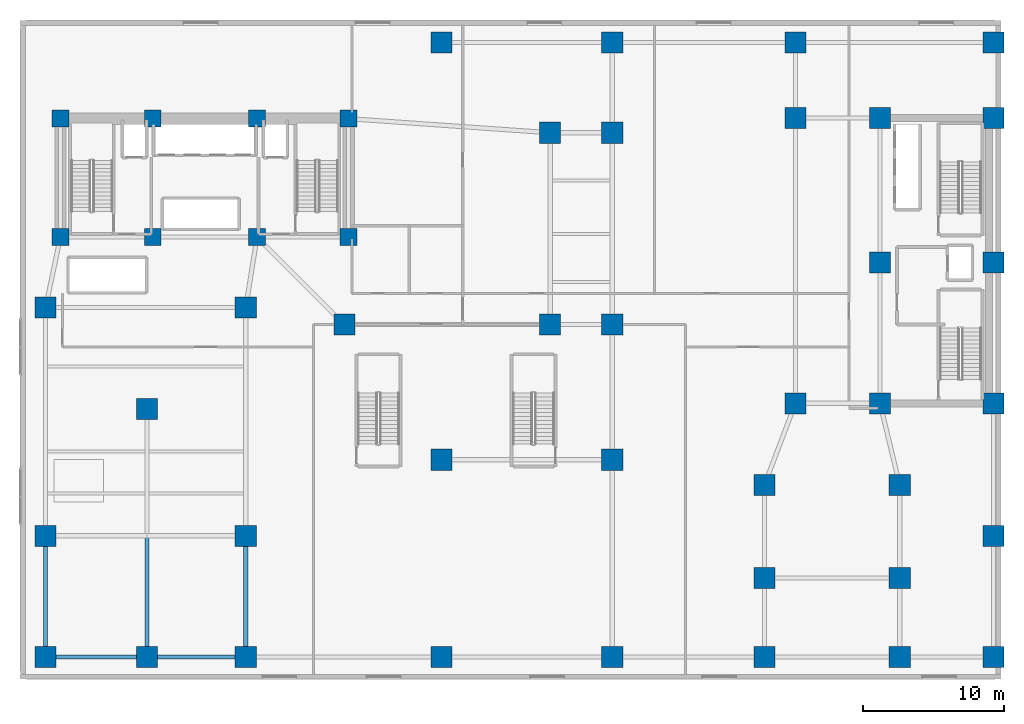
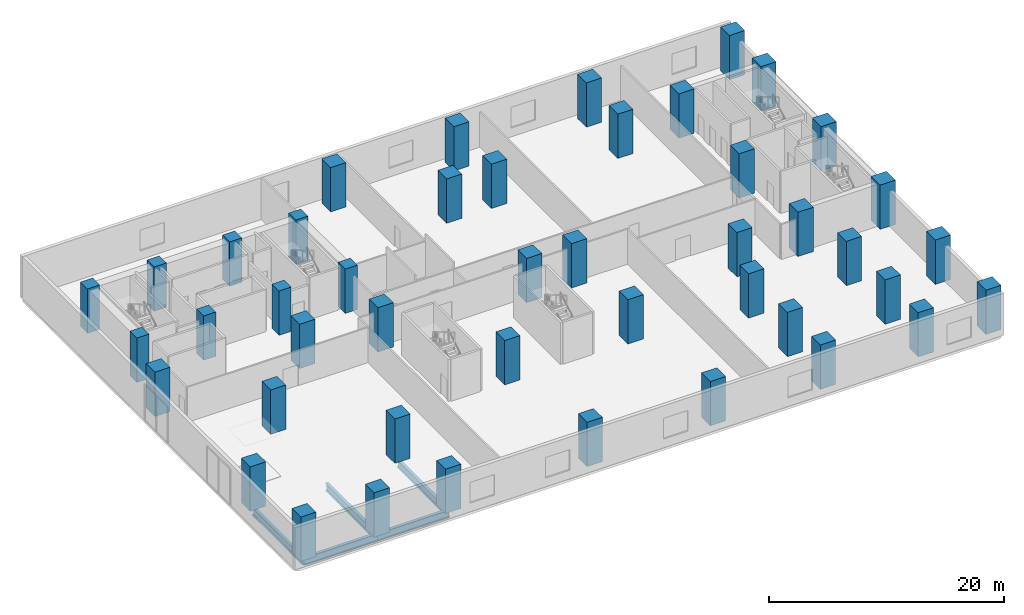
# One storey, part 1 of 14: 45 columns, 5 beams.
"""IFC4 building model written with IfcOpenShell, lengths in metres."""

import ifcopenshell
import ifcopenshell.guid

model = None  # the IFC model being written
_history = None  # IfcOwnerHistory: only IFC2X3 demands one
_inside = {}  # id of a spatial element -> (the spatial element, [elements in it])
_under = {}  # id of a project, library or spatial element -> (it, [spatial elements below it])
_declared = {}  # id of a project -> (the project, [libraries it declares])
_typed = {}  # id of a type object -> (the type object, [elements of that type])
_made_of = {}  # id of a material, layer set ... -> (it, [elements and type objects made of it])


def new_model(schema):
    """Start an empty IFC model of exactly this schema.

    Asked for "IFC4X3", IfcOpenShell would pick the latest addendum, in which some entities
    have other attributes; the version numbers below select the first issue.
    IFC2X3 requires an IfcOwnerHistory on every rooted entity: one is made here for all.
    """
    global model, _history
    if schema == "IFC4X3":
        model = ifcopenshell.file(schema_version=(4, 3, 0, 0))
    else:
        model = ifcopenshell.file(schema=schema)
    _inside.clear()
    _under.clear()
    _declared.clear()
    _typed.clear()
    _made_of.clear()
    _history = None
    if model.schema == "IFC2X3":
        org = make("IfcOrganization", Name="unknown")
        user = make(
            "IfcPersonAndOrganization",
            ThePerson=make("IfcPerson", FamilyName="unknown"),
            TheOrganization=org,
        )
        app = make(
            "IfcApplication",
            ApplicationDeveloper=org,
            Version="unknown",
            ApplicationFullName="unknown",
            ApplicationIdentifier="unknown",
        )
        _history = make(
            "IfcOwnerHistory",
            OwningUser=user,
            OwningApplication=app,
            ChangeAction="ADDED",
            CreationDate=0,
        )
    return model


def make(cls, **values):
    """One entity of the class cls with the attributes given. An attribute that is None is left unset."""
    return model.create_entity(
        cls, **{name: value for name, value in values.items() if value is not None}
    )


def rooted(cls, **values):
    """An entity with a GlobalId (a new one), such as an element, a storey or a relation."""
    return make(cls, GlobalId=ifcopenshell.guid.new(), OwnerHistory=_history, **values)


def si_unit(unit_type, name, prefix=None):
    """IfcSIUnit, for example si_unit("LENGTHUNIT", "METRE", prefix="MILLI")."""
    return make("IfcSIUnit", UnitType=unit_type, Prefix=prefix, Name=name)


def assignment(units):
    """IfcUnitAssignment: the units of a project."""
    return None if units is None else make("IfcUnitAssignment", Units=units)


def point(xyz):
    """IfcCartesianPoint."""
    return None if xyz is None else make("IfcCartesianPoint", Coordinates=xyz)


def direction(xyz):
    """IfcDirection."""
    return None if xyz is None else make("IfcDirection", DirectionRatios=xyz)


def frame(location, z_axis=None, x_axis=None):
    """IfcAxis2Placement3D, a coordinate frame: its origin and axes. An axis left out is left unset."""
    return make(
        "IfcAxis2Placement3D",
        Location=point(location),
        Axis=direction(z_axis),
        RefDirection=direction(x_axis),
    )


def frame_2d(location, x_axis=None):
    """IfcAxis2Placement2D, a coordinate frame in the plane: its origin and x axis."""
    return make(
        "IfcAxis2Placement2D", Location=point(location), RefDirection=direction(x_axis)
    )


def origin():
    """The frame at (0, 0, 0) with its axes left unset."""
    return frame((0.0, 0.0, 0.0))


def origin_2d():
    """The frame at (0, 0) in the plane with its x axis left unset."""
    return frame_2d((0.0, 0.0))


def place(relative_to, where):
    """IfcLocalPlacement: puts the frame where relative to a parent placement (None: the world)."""
    return make(
        "IfcLocalPlacement", PlacementRelTo=relative_to, RelativePlacement=where
    )


def context(
    kind, dimensions, precision=None, world=None, true_north=None, identifier=None
):
    """IfcGeometricRepresentationContext, for example the 3D "Model" context."""
    return make(
        "IfcGeometricRepresentationContext",
        ContextIdentifier=identifier,
        ContextType=kind,
        CoordinateSpaceDimension=dimensions,
        Precision=precision,
        WorldCoordinateSystem=world,
        TrueNorth=true_north,
    )


def subcontext(parent, identifier, kind, view, scale=None):
    """IfcGeometricRepresentationSubContext, for example "Body" below "Model"."""
    return make(
        "IfcGeometricRepresentationSubContext",
        ContextIdentifier=identifier,
        ContextType=kind,
        ParentContext=parent,
        TargetScale=scale,
        TargetView=view,
    )


def project(units=None, contexts=None):
    """IfcProject with its units and contexts."""
    return rooted(
        "IfcProject",
        Name="project",
        RepresentationContexts=contexts,
        UnitsInContext=assignment(units),
    )


def spatial(cls, under=None, at=None, **own):
    """A site, building, storey or space (cls), placed at a placement, below another one or the project."""
    s = rooted(cls, ObjectPlacement=at, **own)
    if under is not None:
        _under.setdefault(under.id(), (under, []))[1].append(s)
    return s


def profile(cls, at=None, kind="AREA", **sizes):
    """A parametric profile (cls). Its sizes go by their IFC names, for example OverallWidth=200.0."""
    return make(cls, ProfileType=kind, Position=at, **sizes)


def rectangle(**sizes):
    """IfcRectangleProfileDef."""
    return profile("IfcRectangleProfileDef", **sizes)


def i_section(**sizes):
    """IfcIShapeProfileDef."""
    return profile("IfcIShapeProfileDef", **sizes)


def extrude(swept, where, along, depth):
    """IfcExtrudedAreaSolid: the profile swept, set in the frame where, extruded along a direction by depth."""
    return make(
        "IfcExtrudedAreaSolid",
        SweptArea=swept,
        Position=where,
        ExtrudedDirection=direction(along),
        Depth=depth,
    )


def shape(context_of_items, identifier, shape_type, items):
    """IfcShapeRepresentation: the items that make up one representation, for example the "Body"."""
    return make(
        "IfcShapeRepresentation",
        ContextOfItems=context_of_items,
        RepresentationIdentifier=identifier,
        RepresentationType=shape_type,
        Items=items,
    )


def material(Name=None, Category=None):
    """IfcMaterial."""
    return make("IfcMaterial", Name=Name, Category=Category)


def material_profile(
    of_material, cross_section, Name=None, Category=None, Priority=None
):
    """IfcMaterialProfile: a cross section and its material."""
    return make(
        "IfcMaterialProfile",
        Name=Name,
        Material=of_material,
        Profile=cross_section,
        Priority=Priority,
        Category=Category,
    )


def profile_set(profiles, Name=None, composite=None):
    """IfcMaterialProfileSet."""
    return make(
        "IfcMaterialProfileSet",
        Name=Name,
        MaterialProfiles=profiles,
        CompositeProfile=composite,
    )


def made_of(thing, what):
    """Note that an element or type object is made of a material, layer set ...; save() writes the relation."""
    if what is not None:
        _made_of.setdefault(what.id(), (what, []))[1].append(thing)
    return thing


def type_object(cls, material=None, **own):
    """A type object (cls), such as IfcWallType, which elements share."""
    return made_of(rooted(cls, **own), material)


def element(
    cls,
    number,
    at=None,
    inside=None,
    cuts=None,
    type_object=None,
    material=None,
    context=None,
    identifier="Body",
    shape_type=None,
    held_by="IfcProductDefinitionShape",
    body=None,
    shapes=None,
    **own,
):
    """One element of the class cls, such as IfcWall. Its Tag is "e" and its number.

    at: its placement. inside: the storey or other place that contains it. cuts: it is an
    opening in that element (IfcRelVoidsElement). A single representation is given by context,
    identifier, shape_type and body (its items); several are given by shapes. held_by: the class
    of the entity that holds the representations. save() writes the other relations.
    """
    e = rooted(cls, Tag="e%d" % number, ObjectPlacement=at, **own)
    if body is not None:
        shapes = [shape(context, identifier, shape_type, body)]
    if shapes is not None:
        e.Representation = make(held_by, Representations=shapes)
    if inside is not None:
        _inside.setdefault(inside.id(), (inside, []))[1].append(e)
    if cuts is not None:
        rooted(
            "IfcRelVoidsElement", RelatingBuildingElement=cuts, RelatedOpeningElement=e
        )
    if type_object is not None:
        _typed.setdefault(type_object.id(), (type_object, []))[1].append(e)
    return made_of(e, material)


def aggregate(whole, parts):
    """IfcRelAggregates: a whole, such as a stair, and the parts it consists of."""
    return rooted("IfcRelAggregates", RelatingObject=whole, RelatedObjects=parts)


def save(model, path):
    """Write the relations noted so far, then the file.

    IfcRelAggregates (storeys below a building ...), IfcRelContainedInSpatialStructure (elements
    in a storey), IfcRelDefinesByType, IfcRelAssociatesMaterial and IfcRelDeclares: one each for
    every whole, place, type object, material and project.
    """
    for whole, parts in _under.values():
        aggregate(whole, parts)
    for where, things in _inside.values():
        rooted(
            "IfcRelContainedInSpatialStructure",
            RelatedElements=things,
            RelatingStructure=where,
        )
    for kind, things in _typed.values():
        rooted("IfcRelDefinesByType", RelatedObjects=things, RelatingType=kind)
    for what, things in _made_of.values():
        rooted("IfcRelAssociatesMaterial", RelatedObjects=things, RelatingMaterial=what)
    for by, libraries in _declared.values():
        rooted("IfcRelDeclares", RelatingContext=by, RelatedDefinitions=libraries)
    model.write(path)


model = new_model("IFC4")

# Units and contexts
model_context = context("Model", 3, precision=1e-05, world=origin(), true_north=direction((0.0, 1.0)))
body_context = subcontext(model_context, "Body", "Model", "MODEL_VIEW")
ifc_project = project(units=[si_unit("LENGTHUNIT", "METRE"), si_unit("AREAUNIT", "SQUARE_METRE"), si_unit("VOLUMEUNIT", "CUBIC_METRE"), si_unit("PLANEANGLEUNIT", "RADIAN"), si_unit("MASSUNIT", "GRAM", prefix="KILO")], contexts=[model_context])

# Site, building, storey
site_placement = place(None, origin())
site = spatial("IfcSite", under=ifc_project, at=site_placement, CompositionType="ELEMENT")
building_placement = place(site_placement, origin())
building = spatial("IfcBuilding", under=site, at=building_placement, Name="Kuzgunbayir Cultural Tower", CompositionType="ELEMENT")
storey_placement = place(building_placement, frame((0.0, 0.0, 13.0)))
storey = spatial("IfcBuildingStorey", under=building, at=storey_placement, Name="L03", CompositionType="ELEMENT", Elevation=13.0)

# Columns
ifc_material_1 = material(Name="Concrete C60/75", Category="concrete")
ifc_material_profile_1 = material_profile(ifc_material_1, rectangle(XDim=1.199951171875, YDim=1.199951171875, at=origin_2d()), Name="RC 1200x1200")
ifc_profile_set_1 = profile_set([ifc_material_profile_1], Name="Concrete C60/75")
column_type_1 = type_object("IfcColumnType", Name="COL-CORE-1200", PredefinedType="COLUMN", material=ifc_profile_set_1)
for number, where, z_axis, x_axis, name in (
    (1, (6.449951171875, 33.800048828125, 0.0), (0.0, 0.0, 1.0), (1.0, 0.0, 0.0), "L03 T1 Core Boundary Column CC1-1"),
    (2, (13.0, 33.800048828125, 0.0), (0.0, 0.0, 1.0), (1.0, 0.0, 0.0), "L03 T1 Core Boundary Column CC1-2"),
    (3, (20.39990234375, 33.800048828125, 0.0), (0.0, 0.0, 1.0), (1.0, 0.0, 0.0), "L03 T1 Core Boundary Column CC1-3"),
    (4, (26.89990234375, 33.800048828125, 0.0), (0.0, 0.0, 1.0), (1.0, 0.0, 0.0), "L03 T1 Core Boundary Column CC1-4"),
    (5, (6.449951171875, 42.199951171875, 0.0), (0.0, 0.0, 1.0), (1.0, 0.0, 0.0), "L03 T1 Core Boundary Column CC1-5"),
    (6, (13.0, 42.199951171875, 0.0), (0.0, 0.0, 1.0), (1.0, 0.0, 0.0), "L03 T1 Core Boundary Column CC1-6"),
    (7, (20.39990234375, 42.199951171875, 0.0), (0.0, 0.0, 1.0), (1.0, 0.0, 0.0), "L03 T1 Core Boundary Column CC1-7"),
    (8, (26.89990234375, 42.199951171875, 0.0), (0.0, 0.0, 1.0), (1.0, 0.0, 0.0), "L03 T1 Core Boundary Column CC1-8"),
):
    element("IfcColumn", number, at=place(storey_placement, frame(where, z_axis=z_axis, x_axis=x_axis)), inside=storey, type_object=column_type_1, Name=name, PredefinedType="COLUMN", context=body_context, shape_type="SweptSolid", body=[
        extrude(rectangle(XDim=1.199951171875, YDim=1.199951171875, at=origin_2d()), origin(), (0.0, 0.0, 1.0), 4.60009765625),
    ])
ifc_material_profile_2 = material_profile(ifc_material_1, rectangle(XDim=1.5, YDim=1.5, at=origin_2d()), Name="RC 1500x1500")
ifc_profile_set_2 = profile_set([ifc_material_profile_2], Name="Concrete C60/75")
column_type_2 = type_object("IfcColumnType", Name="COL-MEGA-1500", PredefinedType="COLUMN", material=ifc_profile_set_2)
for number, where, z_axis, x_axis, name in (
    (9, (64.60009765625, 22.0, 0.0), (0.0, 0.0, 1.0), (1.0, 0.0, 0.0), "L03 T2 Core Boundary Column CC2-1"),
    (10, (72.64990234375, 22.0, 0.0), (0.0, 0.0, 1.0), (1.0, 0.0, 0.0), "L03 T2 Core Boundary Column CC2-2"),
    (11, (64.60009765625, 32.0, 0.0), (0.0, 0.0, 1.0), (1.0, 0.0, 0.0), "L03 T2 Core Boundary Column CC2-3"),
    (12, (72.64990234375, 32.0, 0.0), (0.0, 0.0, 1.0), (1.0, 0.0, 0.0), "L03 T2 Core Boundary Column CC2-4"),
    (13, (64.60009765625, 42.25, 0.0), (0.0, 0.0, 1.0), (1.0, 0.0, 0.0), "L03 T2 Core Boundary Column CC2-5"),
    (14, (72.64990234375, 42.25, 0.0), (0.0, 0.0, 1.0), (1.0, 0.0, 0.0), "L03 T2 Core Boundary Column CC2-6"),
    (15, (5.39990234375, 12.60009765625, 0.0), (0.0, 0.0, 1.0), (1.0, 0.0, 0.0), "L03 Podium Mega-Column PC-T1A-SW"),
    (16, (19.60009765625, 12.60009765625, 0.0), (0.0, 0.0, 1.0), (1.0, 0.0, 0.0), "L03 Podium Mega-Column PC-T1A-SE"),
    (17, (5.39990234375, 28.800048828125, 0.0), (0.0, 0.0, 1.0), (1.0, 0.0, 0.0), "L03 Podium Mega-Column PC-T1A-NW"),
    (18, (19.60009765625, 28.800048828125, 0.0), (0.0, 0.0, 1.0), (1.0, 0.0, 0.0), "L03 Podium Mega-Column PC-T1A-NE"),
    (19, (26.60009765625, 27.60009765625, 0.0), (0.0, 0.0, 1.0), (1.0, 0.0, 0.0), "L03 Podium Mega-Column PC-T1B-1S"),
    (20, (41.199951171875, 27.60009765625, 0.0), (0.0, 0.0, 1.0), (1.0, 0.0, 0.0), "L03 Podium Mega-Column PC-T1B-4S"),
    (21, (45.60009765625, 27.60009765625, 0.0), (0.0, 0.0, 1.0), (1.0, 0.0, 0.0), "L03 Podium Mega-Column PC-T1B-5S"),
    (22, (41.199951171875, 41.199951171875, 0.0), (0.0, 0.0, 1.0), (1.0, 0.0, 0.0), "L03 Podium Mega-Column PC-T1B-4N"),
    (23, (45.60009765625, 41.199951171875, 0.0), (0.0, 0.0, 1.0), (1.0, 0.0, 0.0), "L03 Podium Mega-Column PC-T1B-5N"),
    (24, (58.60009765625, 22.0, 0.0), (0.0, 0.0, 1.0), (1.0, 0.0, 0.0), "L03 Podium Mega-Column PC-T2A-SW"),
    (25, (58.60009765625, 42.25, 0.0), (0.0, 0.0, 1.0), (1.0, 0.0, 0.0), "L03 Podium Mega-Column PC-T2A-NW"),
    (26, (56.39990234375, 9.60009765625, 0.0), (0.0, 0.0, 1.0), (1.0, 0.0, 0.0), "L03 Podium Mega-Column PC-T2B-SW"),
    (27, (66.0, 9.60009765625, 0.0), (0.0, 0.0, 1.0), (1.0, 0.0, 0.0), "L03 Podium Mega-Column PC-T2B-SE"),
    (28, (56.39990234375, 16.199951171875, 0.0), (0.0, 0.0, 1.0), (1.0, 0.0, 0.0), "L03 Podium Mega-Column PC-T2B-MW"),
    (29, (66.0, 16.199951171875, 0.0), (0.0, 0.0, 1.0), (1.0, 0.0, 0.0), "L03 Podium Mega-Column PC-T2B-ME"),
    (30, (5.39990234375, 4.0, 0.0), (0.0, 0.0, 1.0), (1.0, 0.0, 0.0), "L03 Podium Mega-Column PC-P01"),
    (31, (12.60009765625, 4.0, 0.0), (0.0, 0.0, 1.0), (1.0, 0.0, 0.0), "L03 Podium Mega-Column PC-P02"),
    (32, (19.60009765625, 4.0, 0.0), (0.0, 0.0, 1.0), (1.0, 0.0, 0.0), "L03 Podium Mega-Column PC-P03"),
    (33, (33.5, 4.0, 0.0), (0.0, 0.0, 1.0), (1.0, 0.0, 0.0), "L03 Podium Mega-Column PC-P04"),
    (34, (45.60009765625, 4.0, 0.0), (0.0, 0.0, 1.0), (1.0, 0.0, 0.0), "L03 Podium Mega-Column PC-P05"),
    (35, (56.39990234375, 4.0, 0.0), (0.0, 0.0, 1.0), (1.0, 0.0, 0.0), "L03 Podium Mega-Column PC-P06"),
    (36, (66.0, 4.0, 0.0), (0.0, 0.0, 1.0), (1.0, 0.0, 0.0), "L03 Podium Mega-Column PC-P07"),
    (37, (72.64990234375, 4.0, 0.0), (0.0, 0.0, 1.0), (1.0, 0.0, 0.0), "L03 Podium Mega-Column PC-P08"),
    (38, (12.60009765625, 21.60009765625, 0.0), (0.0, 0.0, 1.0), (1.0, 0.0, 0.0), "L03 Podium Mega-Column PC-P09"),
    (39, (33.5, 18.0, 0.0), (0.0, 0.0, 1.0), (1.0, 0.0, 0.0), "L03 Podium Mega-Column PC-P10"),
    (40, (45.60009765625, 18.0, 0.0), (0.0, 0.0, 1.0), (1.0, 0.0, 0.0), "L03 Podium Mega-Column PC-P11"),
    (41, (72.64990234375, 12.60009765625, 0.0), (0.0, 0.0, 1.0), (1.0, 0.0, 0.0), "L03 Podium Mega-Column PC-P12"),
    (42, (33.5, 47.60009765625, 0.0), (0.0, 0.0, 1.0), (1.0, 0.0, 0.0), "L03 Podium Mega-Column PC-P13"),
    (43, (45.60009765625, 47.60009765625, 0.0), (0.0, 0.0, 1.0), (1.0, 0.0, 0.0), "L03 Podium Mega-Column PC-P14"),
    (44, (58.60009765625, 47.60009765625, 0.0), (0.0, 0.0, 1.0), (1.0, 0.0, 0.0), "L03 Podium Mega-Column PC-P15"),
    (45, (72.64990234375, 47.60009765625, 0.0), (0.0, 0.0, 1.0), (1.0, 0.0, 0.0), "L03 Podium Mega-Column PC-P16"),
):
    element("IfcColumn", number, at=place(storey_placement, frame(where, z_axis=z_axis, x_axis=x_axis)), inside=storey, type_object=column_type_2, Name=name, PredefinedType="COLUMN", context=body_context, shape_type="SweptSolid", body=[
        extrude(rectangle(XDim=1.5, YDim=1.5, at=origin_2d()), origin(), (0.0, 0.0, 1.0), 4.60009765625),
    ])

# Beams
ifc_material_2 = material(Name="Steel S355J2", Category="steel")
ifc_material_profile_3 = material_profile(ifc_material_2, i_section(OverallWidth=0.300048828125, OverallDepth=0.800048828125, WebThickness=0.017578125, FlangeThickness=0.032958984375, FilletRadius=0.030029296875, at=origin_2d()), Name="HEB 800")
ifc_profile_set_3 = profile_set([ifc_material_profile_3], Name="Steel S355J2")
beam_type = type_object("IfcBeamType", Name="BM-GIR-HEB800", PredefinedType="BEAM", material=ifc_profile_set_3)
beam_1_placement = place(storey_placement, frame((5.39990234375, 4.0, -0.64990234375), z_axis=(1.0, 0.0, 0.0), x_axis=(0.0, 1.0, 0.0)))
element("IfcBeam", 46, at=beam_1_placement, inside=storey, type_object=beam_type, Name="L03 Podium South Girder 1", PredefinedType="BEAM", context=body_context, shape_type="SweptSolid", body=[
    extrude(i_section(OverallWidth=0.300048828125, OverallDepth=0.800048828125, WebThickness=0.017578125, FlangeThickness=0.032958984375, FilletRadius=0.030029296875, at=origin_2d()), origin(), (0.0, 0.0, 1.0), 7.2001953125),
])
beam_2_placement = place(storey_placement, frame((12.60009765625, 4.0, -0.64990234375), z_axis=(1.0, 0.0, 0.0), x_axis=(0.0, 1.0, 0.0)))
element("IfcBeam", 47, at=beam_2_placement, inside=storey, type_object=beam_type, Name="L03 Podium South Girder 2", PredefinedType="BEAM", context=body_context, shape_type="SweptSolid", body=[
    extrude(i_section(OverallWidth=0.300048828125, OverallDepth=0.800048828125, WebThickness=0.017578125, FlangeThickness=0.032958984375, FilletRadius=0.030029296875, at=origin_2d()), origin(), (0.0, 0.0, 1.0), 7.0),
])
for number, where, z_axis, x_axis, name in (
    (48, (5.39990234375, 4.0, -0.64990234375), (0.0, 1.0, 0.0), (-1.0, 0.0, 0.0), "L03 Podium Primary Girder 33"),
    (49, (12.60009765625, 4.0, -0.64990234375), (0.0, 1.0, 0.0), (-1.0, 0.0, 0.0), "L03 Podium Primary Girder 34"),
    (50, (19.60009765625, 4.0, -0.64990234375), (0.0, 1.0, 0.0), (-1.0, 0.0, 0.0), "L03 Podium Primary Girder 35"),
):
    element("IfcBeam", number, at=place(storey_placement, frame(where, z_axis=z_axis, x_axis=x_axis)), inside=storey, type_object=beam_type, Name=name, PredefinedType="BEAM", context=body_context, shape_type="SweptSolid", body=[
        extrude(i_section(OverallWidth=0.300048828125, OverallDepth=0.800048828125, WebThickness=0.017578125, FlangeThickness=0.032958984375, FilletRadius=0.030029296875, at=origin_2d()), origin(), (0.0, 0.0, 1.0), 8.60009765625),
    ])

save(model, "model.ifc")
